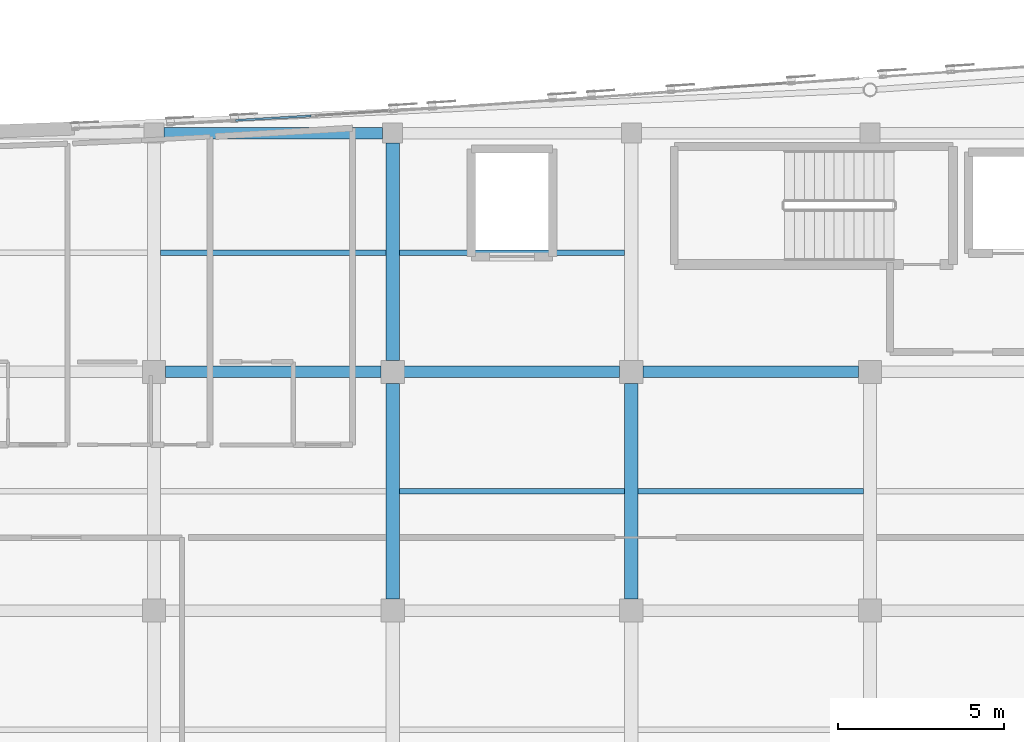
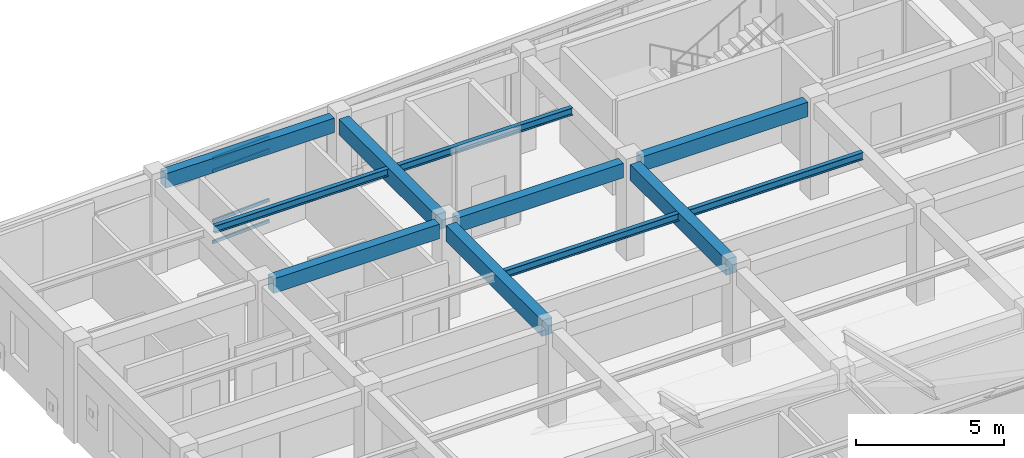
# One storey, part 35 of 113: 11 beams, 4 members, 1 element without a shape of its own.
"""IFC4 building model written with IfcOpenShell, lengths in metres."""

import ifcopenshell
import ifcopenshell.guid

model = None  # the IFC model being written
_history = None  # IfcOwnerHistory: only IFC2X3 demands one
_inside = {}  # id of a spatial element -> (the spatial element, [elements in it])
_under = {}  # id of a project, library or spatial element -> (it, [spatial elements below it])
_declared = {}  # id of a project -> (the project, [libraries it declares])
_typed = {}  # id of a type object -> (the type object, [elements of that type])
_made_of = {}  # id of a material, layer set ... -> (it, [elements and type objects made of it])


def new_model(schema):
    """Start an empty IFC model of exactly this schema.

    Asked for "IFC4X3", IfcOpenShell would pick the latest addendum, in which some entities
    have other attributes; the version numbers below select the first issue.
    IFC2X3 requires an IfcOwnerHistory on every rooted entity: one is made here for all.
    """
    global model, _history
    if schema == "IFC4X3":
        model = ifcopenshell.file(schema_version=(4, 3, 0, 0))
    else:
        model = ifcopenshell.file(schema=schema)
    _inside.clear()
    _under.clear()
    _declared.clear()
    _typed.clear()
    _made_of.clear()
    _history = None
    if model.schema == "IFC2X3":
        org = make("IfcOrganization", Name="unknown")
        user = make(
            "IfcPersonAndOrganization",
            ThePerson=make("IfcPerson", FamilyName="unknown"),
            TheOrganization=org,
        )
        app = make(
            "IfcApplication",
            ApplicationDeveloper=org,
            Version="unknown",
            ApplicationFullName="unknown",
            ApplicationIdentifier="unknown",
        )
        _history = make(
            "IfcOwnerHistory",
            OwningUser=user,
            OwningApplication=app,
            ChangeAction="ADDED",
            CreationDate=0,
        )
    return model


def make(cls, **values):
    """One entity of the class cls with the attributes given. An attribute that is None is left unset."""
    return model.create_entity(
        cls, **{name: value for name, value in values.items() if value is not None}
    )


def rooted(cls, **values):
    """An entity with a GlobalId (a new one), such as an element, a storey or a relation."""
    return make(cls, GlobalId=ifcopenshell.guid.new(), OwnerHistory=_history, **values)


def si_unit(unit_type, name, prefix=None):
    """IfcSIUnit, for example si_unit("LENGTHUNIT", "METRE", prefix="MILLI")."""
    return make("IfcSIUnit", UnitType=unit_type, Prefix=prefix, Name=name)


def assignment(units):
    """IfcUnitAssignment: the units of a project."""
    return None if units is None else make("IfcUnitAssignment", Units=units)


def point(xyz):
    """IfcCartesianPoint."""
    return None if xyz is None else make("IfcCartesianPoint", Coordinates=xyz)


def direction(xyz):
    """IfcDirection."""
    return None if xyz is None else make("IfcDirection", DirectionRatios=xyz)


def frame(location, z_axis=None, x_axis=None):
    """IfcAxis2Placement3D, a coordinate frame: its origin and axes. An axis left out is left unset."""
    return make(
        "IfcAxis2Placement3D",
        Location=point(location),
        Axis=direction(z_axis),
        RefDirection=direction(x_axis),
    )


def frame_2d(location, x_axis=None):
    """IfcAxis2Placement2D, a coordinate frame in the plane: its origin and x axis."""
    return make(
        "IfcAxis2Placement2D", Location=point(location), RefDirection=direction(x_axis)
    )


def origin():
    """The frame at (0, 0, 0) with its axes left unset."""
    return frame((0.0, 0.0, 0.0))


def origin_2d():
    """The frame at (0, 0) in the plane with its x axis left unset."""
    return frame_2d((0.0, 0.0))


def place(relative_to, where):
    """IfcLocalPlacement: puts the frame where relative to a parent placement (None: the world)."""
    return make(
        "IfcLocalPlacement", PlacementRelTo=relative_to, RelativePlacement=where
    )


def context(
    kind, dimensions, precision=None, world=None, true_north=None, identifier=None
):
    """IfcGeometricRepresentationContext, for example the 3D "Model" context."""
    return make(
        "IfcGeometricRepresentationContext",
        ContextIdentifier=identifier,
        ContextType=kind,
        CoordinateSpaceDimension=dimensions,
        Precision=precision,
        WorldCoordinateSystem=world,
        TrueNorth=true_north,
    )


def subcontext(parent, identifier, kind, view, scale=None):
    """IfcGeometricRepresentationSubContext, for example "Body" below "Model"."""
    return make(
        "IfcGeometricRepresentationSubContext",
        ContextIdentifier=identifier,
        ContextType=kind,
        ParentContext=parent,
        TargetScale=scale,
        TargetView=view,
    )


def project(units=None, contexts=None):
    """IfcProject with its units and contexts."""
    return rooted(
        "IfcProject",
        Name="project",
        RepresentationContexts=contexts,
        UnitsInContext=assignment(units),
    )


def spatial(cls, under=None, at=None, **own):
    """A site, building, storey or space (cls), placed at a placement, below another one or the project."""
    s = rooted(cls, ObjectPlacement=at, **own)
    if under is not None:
        _under.setdefault(under.id(), (under, []))[1].append(s)
    return s


def profile(cls, at=None, kind="AREA", **sizes):
    """A parametric profile (cls). Its sizes go by their IFC names, for example OverallWidth=200.0."""
    return make(cls, ProfileType=kind, Position=at, **sizes)


def rectangle(**sizes):
    """IfcRectangleProfileDef."""
    return profile("IfcRectangleProfileDef", **sizes)


def hollow_rectangle(**sizes):
    """IfcRectangleHollowProfileDef."""
    return profile("IfcRectangleHollowProfileDef", **sizes)


def i_section(**sizes):
    """IfcIShapeProfileDef."""
    return profile("IfcIShapeProfileDef", **sizes)


def extrude(swept, where, along, depth):
    """IfcExtrudedAreaSolid: the profile swept, set in the frame where, extruded along a direction by depth."""
    return make(
        "IfcExtrudedAreaSolid",
        SweptArea=swept,
        Position=where,
        ExtrudedDirection=direction(along),
        Depth=depth,
    )


def shape(context_of_items, identifier, shape_type, items):
    """IfcShapeRepresentation: the items that make up one representation, for example the "Body"."""
    return make(
        "IfcShapeRepresentation",
        ContextOfItems=context_of_items,
        RepresentationIdentifier=identifier,
        RepresentationType=shape_type,
        Items=items,
    )


def material(Name=None, Category=None):
    """IfcMaterial."""
    return make("IfcMaterial", Name=Name, Category=Category)


def layer(
    of_material, thickness, ventilated=None, Name=None, Category=None, Priority=None
):
    """IfcMaterialLayer: one layer of a wall or slab, of a material (None: an air gap)."""
    return make(
        "IfcMaterialLayer",
        Material=of_material,
        LayerThickness=thickness,
        IsVentilated=ventilated,
        Name=Name,
        Category=Category,
        Priority=Priority,
    )


def layer_set(layers, Name=None):
    """IfcMaterialLayerSet."""
    return make("IfcMaterialLayerSet", MaterialLayers=layers, LayerSetName=Name)


def material_profile(
    of_material, cross_section, Name=None, Category=None, Priority=None
):
    """IfcMaterialProfile: a cross section and its material."""
    return make(
        "IfcMaterialProfile",
        Name=Name,
        Material=of_material,
        Profile=cross_section,
        Priority=Priority,
        Category=Category,
    )


def profile_set(profiles, Name=None, composite=None):
    """IfcMaterialProfileSet."""
    return make(
        "IfcMaterialProfileSet",
        Name=Name,
        MaterialProfiles=profiles,
        CompositeProfile=composite,
    )


def made_of(thing, what):
    """Note that an element or type object is made of a material, layer set ...; save() writes the relation."""
    if what is not None:
        _made_of.setdefault(what.id(), (what, []))[1].append(thing)
    return thing


def type_object(cls, material=None, **own):
    """A type object (cls), such as IfcWallType, which elements share."""
    return made_of(rooted(cls, **own), material)


def element(
    cls,
    number,
    at=None,
    inside=None,
    cuts=None,
    type_object=None,
    material=None,
    context=None,
    identifier="Body",
    shape_type=None,
    held_by="IfcProductDefinitionShape",
    body=None,
    shapes=None,
    **own,
):
    """One element of the class cls, such as IfcWall. Its Tag is "e" and its number.

    at: its placement. inside: the storey or other place that contains it. cuts: it is an
    opening in that element (IfcRelVoidsElement). A single representation is given by context,
    identifier, shape_type and body (its items); several are given by shapes. held_by: the class
    of the entity that holds the representations. save() writes the other relations.
    """
    e = rooted(cls, Tag="e%d" % number, ObjectPlacement=at, **own)
    if body is not None:
        shapes = [shape(context, identifier, shape_type, body)]
    if shapes is not None:
        e.Representation = make(held_by, Representations=shapes)
    if inside is not None:
        _inside.setdefault(inside.id(), (inside, []))[1].append(e)
    if cuts is not None:
        rooted(
            "IfcRelVoidsElement", RelatingBuildingElement=cuts, RelatedOpeningElement=e
        )
    if type_object is not None:
        _typed.setdefault(type_object.id(), (type_object, []))[1].append(e)
    return made_of(e, material)


def aggregate(whole, parts):
    """IfcRelAggregates: a whole, such as a stair, and the parts it consists of."""
    return rooted("IfcRelAggregates", RelatingObject=whole, RelatedObjects=parts)


def save(model, path):
    """Write the relations noted so far, then the file.

    IfcRelAggregates (storeys below a building ...), IfcRelContainedInSpatialStructure (elements
    in a storey), IfcRelDefinesByType, IfcRelAssociatesMaterial and IfcRelDeclares: one each for
    every whole, place, type object, material and project.
    """
    for whole, parts in _under.values():
        aggregate(whole, parts)
    for where, things in _inside.values():
        rooted(
            "IfcRelContainedInSpatialStructure",
            RelatedElements=things,
            RelatingStructure=where,
        )
    for kind, things in _typed.values():
        rooted("IfcRelDefinesByType", RelatedObjects=things, RelatingType=kind)
    for what, things in _made_of.values():
        rooted("IfcRelAssociatesMaterial", RelatedObjects=things, RelatingMaterial=what)
    for by, libraries in _declared.values():
        rooted("IfcRelDeclares", RelatingContext=by, RelatedDefinitions=libraries)
    model.write(path)


model = new_model("IFC4")

# Units and contexts
model_context = context("Model", 3, precision=1e-05, world=origin(), true_north=direction((0.0, 1.0)))
body_context = subcontext(model_context, "Body", "Model", "MODEL_VIEW")
ifc_project = project(units=[si_unit("LENGTHUNIT", "METRE"), si_unit("AREAUNIT", "SQUARE_METRE"), si_unit("VOLUMEUNIT", "CUBIC_METRE"), si_unit("PLANEANGLEUNIT", "RADIAN"), si_unit("MASSUNIT", "GRAM", prefix="KILO")], contexts=[model_context])

# Site, building, storey
site_placement = place(None, origin())
site = spatial("IfcSite", under=ifc_project, at=site_placement, CompositionType="ELEMENT")
building_placement = place(site_placement, origin())
building = spatial("IfcBuilding", under=site, at=building_placement, Name="Carrowvane Square Congress Hotel", CompositionType="ELEMENT")
storey_placement = place(building_placement, frame((0.0, 0.0, 15.0)))
storey = spatial("IfcBuildingStorey", under=building, at=storey_placement, Name="L03", CompositionType="ELEMENT", Elevation=15.0)

# Beams
ifc_material_1 = material(Name="Concrete C35/45", Category="concrete")
ifc_material_profile_1 = material_profile(ifc_material_1, rectangle(XDim=0.35009765625, YDim=0.60009765625, at=origin_2d()), Name="RC 350x600")
ifc_profile_set_1 = profile_set([ifc_material_profile_1], Name="Concrete C35/45")
beam_type_1 = type_object("IfcBeamType", Name="BM-RC-350x600", PredefinedType="BEAM", material=ifc_profile_set_1)
for number, where, z_axis, x_axis, name in (
    (1, (40.75, 106.199951171875, 3.639892578125), (1.0, 0.0, 0.0), (0.0, 1.0, 0.0), "L04 girder Q/5-6"),
    (2, (47.949951171875, 106.199951171875, 3.639892578125), (1.0, 0.0, 0.0), (0.0, 1.0, 0.0), "L04 girder Q/6-7"),
    (3, (55.14990234375, 106.199951171875, 3.639892578125), (1.0, 0.0, 0.0), (0.0, 1.0, 0.0), "L04 girder Q/7-8"),
):
    element("IfcBeam", number, at=place(storey_placement, frame(where, z_axis=z_axis, x_axis=x_axis)), inside=storey, type_object=beam_type_1, Name=name, PredefinedType="BEAM", context=body_context, shape_type="SweptSolid", body=[
        extrude(rectangle(XDim=0.35009765625, YDim=0.60009765625, at=origin_2d()), origin(), (0.0, 0.0, 1.0), 6.5),
    ])
beam_1_placement = place(storey_placement, frame((40.699951171875, 113.39990234375, 3.639892578125), z_axis=(1.0, 0.0, 0.0), x_axis=(0.0, 1.0, 0.0)))
element("IfcBeam", 4, at=beam_1_placement, inside=storey, type_object=beam_type_1, Name="L04 girder R/5-6", PredefinedType="BEAM", context=body_context, shape_type="SweptSolid", body=[
    extrude(rectangle(XDim=0.35009765625, YDim=0.60009765625, at=origin_2d()), origin(), (0.0, 0.0, 1.0), 6.60009765625),
])
ifc_material_2 = material(Name="Concrete C35/45", Category="concrete")
ifc_material_profile_2 = material_profile(ifc_material_2, rectangle(XDim=0.39990234375, YDim=0.64990234375, at=origin_2d()), Name="RC 400x650")
ifc_profile_set_2 = profile_set([ifc_material_profile_2], Name="Concrete C35/45")
beam_type_2 = type_object("IfcBeamType", Name="BM-RC-400x650", PredefinedType="BEAM", material=ifc_profile_set_2)
beam_2_placement = place(storey_placement, frame((47.60009765625, 99.35009765625, 3.614990234375), z_axis=(0.0, 1.0, 0.0), x_axis=(-1.0, 0.0, 0.0)))
element("IfcBeam", 5, at=beam_2_placement, inside=storey, type_object=beam_type_2, Name="L04 girder 6/P-Q", PredefinedType="BEAM", context=body_context, shape_type="SweptSolid", body=[
    extrude(rectangle(XDim=0.39990234375, YDim=0.64990234375, at=origin_2d()), origin(), (0.0, 0.0, 1.0), 6.5),
])
beam_3_placement = place(storey_placement, frame((47.60009765625, 106.550048828125, 3.614990234375), z_axis=(0.0, 1.0, 0.0), x_axis=(-1.0, 0.0, 0.0)))
element("IfcBeam", 6, at=beam_3_placement, inside=storey, type_object=beam_type_2, Name="L04 girder 6/Q-R", PredefinedType="BEAM", context=body_context, shape_type="SweptSolid", body=[
    extrude(rectangle(XDim=0.39990234375, YDim=0.64990234375, at=origin_2d()), origin(), (0.0, 0.0, 1.0), 6.550048828125),
])
beam_4_placement = place(storey_placement, frame((54.800048828125, 99.35009765625, 3.614990234375), z_axis=(0.0, 1.0, 0.0), x_axis=(-1.0, 0.0, 0.0)))
element("IfcBeam", 7, at=beam_4_placement, inside=storey, type_object=beam_type_2, Name="L04 girder 7/P-Q", PredefinedType="BEAM", context=body_context, shape_type="SweptSolid", body=[
    extrude(rectangle(XDim=0.39990234375, YDim=0.64990234375, at=origin_2d()), origin(), (0.0, 0.0, 1.0), 6.5),
])
ifc_material_3 = material(Name="Steel S355", Category="steel")
ifc_material_profile_3 = material_profile(ifc_material_3, i_section(OverallWidth=0.165771484375, OverallDepth=0.306640625, WebThickness=0.006591796875, FlangeThickness=0.01171875, FilletRadius=0.0087890625, at=origin_2d()), Name="UKB 305x165x46")
ifc_profile_set_3 = profile_set([ifc_material_profile_3], Name="Steel S355")
beam_type_3 = type_object("IfcBeamType", Name="BM-ST-UKB305", PredefinedType="JOIST", material=ifc_profile_set_3)
beam_5_placement = place(storey_placement, frame((40.60009765625, 109.800048828125, 3.78662109375), z_axis=(1.0, 0.0, 0.0), x_axis=(0.0, 1.0, 0.0)))
element("IfcBeam", 8, at=beam_5_placement, inside=storey, type_object=beam_type_3, Name="L04 secondary joist 5-6", PredefinedType="JOIST", context=body_context, shape_type="SweptSolid", body=[
    extrude(i_section(OverallWidth=0.165771484375, OverallDepth=0.306640625, WebThickness=0.006591796875, FlangeThickness=0.01171875, FilletRadius=0.0087890625, at=origin_2d()), origin(), (0.0, 0.0, 1.0), 6.7998046875),
])
for number, where, z_axis, x_axis, name in (
    (9, (47.800048828125, 102.60009765625, 3.78662109375), (1.0, 0.0, 0.0), (0.0, 1.0, 0.0), "L04 secondary joist 6-7"),
    (10, (47.800048828125, 109.800048828125, 3.78662109375), (1.0, 0.0, 0.0), (0.0, 1.0, 0.0), "L04 secondary joist 6-7"),
    (11, (55.0, 102.60009765625, 3.78662109375), (1.0, 0.0, 0.0), (0.0, 1.0, 0.0), "L04 secondary joist 7-8"),
):
    element("IfcBeam", number, at=place(storey_placement, frame(where, z_axis=z_axis, x_axis=x_axis)), inside=storey, type_object=beam_type_3, Name=name, PredefinedType="JOIST", context=body_context, shape_type="SweptSolid", body=[
        extrude(i_section(OverallWidth=0.165771484375, OverallDepth=0.306640625, WebThickness=0.006591796875, FlangeThickness=0.01171875, FilletRadius=0.0087890625, at=origin_2d()), origin(), (0.0, 0.0, 1.0), 6.800048828125),
    ])

# Curtain wall, members
ifc_material_4 = material(Name="Anodised aluminium", Category="aluminium")
ifc_layer = layer(ifc_material_4, 0.18603515625)
ifc_layer_set = layer_set([ifc_layer], Name="Anodised aluminium")
curtain_wall_type = type_object("IfcCurtainWallType", Name="CW-SYS-3", PredefinedType="NOTDEFINED", material=ifc_layer_set)
curtain_wall_placement = place(storey_placement, origin())
curtain_wall = element("IfcCurtainWall", 12, at=curtain_wall_placement, inside=storey, type_object=curtain_wall_type, Name="L03 unitised curtain wall 194", PredefinedType="NOTDEFINED")
ifc_material_5 = material(Name="Anodised aluminium", Category="aluminium")
ifc_material_profile_4 = material_profile(ifc_material_5, hollow_rectangle(XDim=0.06005859375, YDim=0.1298828125, WallThickness=0.00390625, at=origin_2d()), Name="CW-TR 60x130x4")
ifc_profile_set_4 = profile_set([ifc_material_profile_4], Name="Anodised aluminium")
member_type = type_object("IfcMemberType", Name="CW-TRN-1", PredefinedType="USERDEFINED", material=ifc_profile_set_4)
member_1_placement = place(storey_placement, frame((42.85986328125, 113.784912109375, 0.030029296875), z_axis=(0.998258118852, 0.058997696103, 0.0), x_axis=(-0.058997696103, 0.998258118852, 0.0)))
member_1 = element("IfcMember", 13, at=member_1_placement, type_object=member_type, Name="CW-3 transom 1.1", ObjectType="TRANSOM", PredefinedType="USERDEFINED", context=body_context, shape_type="SweptSolid", body=[
    extrude(hollow_rectangle(XDim=0.06005859375, YDim=0.1298828125, WallThickness=0.00390625, at=origin_2d()), origin(), (0.0, 0.0, 1.0), 2.2841796875),
])
member_2_placement = place(storey_placement, frame((42.85986328125, 113.784912109375, 0.89990234375), z_axis=(0.998258118852, 0.058997696103, 0.0), x_axis=(-0.058997696103, 0.998258118852, 0.0)))
member_2 = element("IfcMember", 14, at=member_2_placement, type_object=member_type, Name="CW-3 transom 1.2", ObjectType="TRANSOM", PredefinedType="USERDEFINED", context=body_context, shape_type="SweptSolid", body=[
    extrude(hollow_rectangle(XDim=0.06005859375, YDim=0.1298828125, WallThickness=0.00390625, at=origin_2d()), origin(), (0.0, 0.0, 1.0), 2.2841796875),
])
member_3_placement = place(storey_placement, frame((42.85986328125, 113.784912109375, 2.965576171875), z_axis=(0.998258118852, 0.058997696103, 0.0), x_axis=(-0.058997696103, 0.998258118852, 0.0)))
member_3 = element("IfcMember", 15, at=member_3_placement, type_object=member_type, Name="CW-3 transom 1.3", ObjectType="TRANSOM", PredefinedType="USERDEFINED", context=body_context, shape_type="SweptSolid", body=[
    extrude(hollow_rectangle(XDim=0.06005859375, YDim=0.1298828125, WallThickness=0.00390625, at=origin_2d()), origin(), (0.0, 0.0, 1.0), 2.2841796875),
])
member_4_placement = place(storey_placement, frame((42.85986328125, 113.784912109375, 3.485595703125), z_axis=(0.998258118852, 0.058997696103, 0.0), x_axis=(-0.058997696103, 0.998258118852, 0.0)))
member_4 = element("IfcMember", 16, at=member_4_placement, type_object=member_type, Name="CW-3 transom 1.4", ObjectType="TRANSOM", PredefinedType="USERDEFINED", context=body_context, shape_type="SweptSolid", body=[
    extrude(hollow_rectangle(XDim=0.06005859375, YDim=0.1298828125, WallThickness=0.00390625, at=origin_2d()), origin(), (0.0, 0.0, 1.0), 2.2841796875),
])
aggregate(curtain_wall, [member_1, member_2, member_3, member_4])

save(model, "model.ifc")
